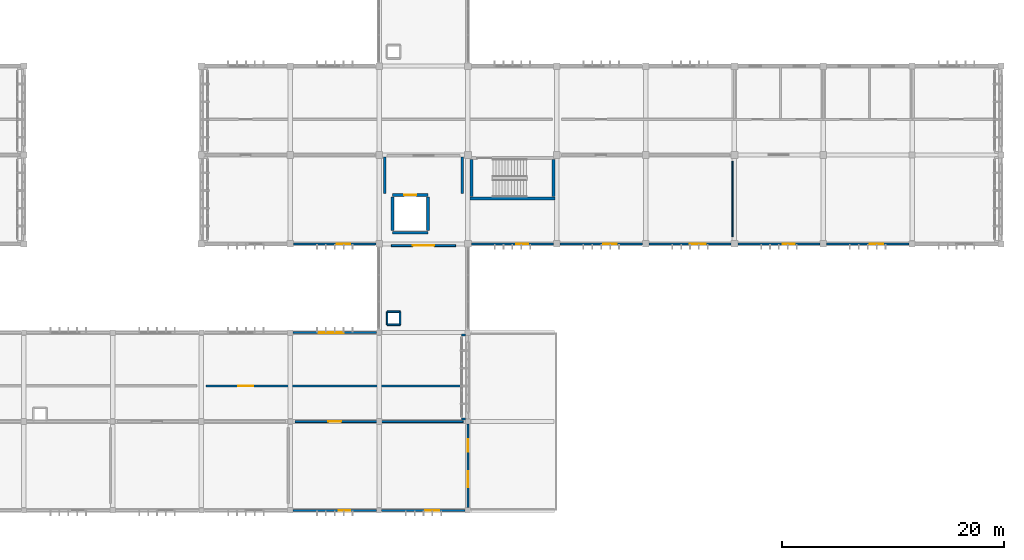
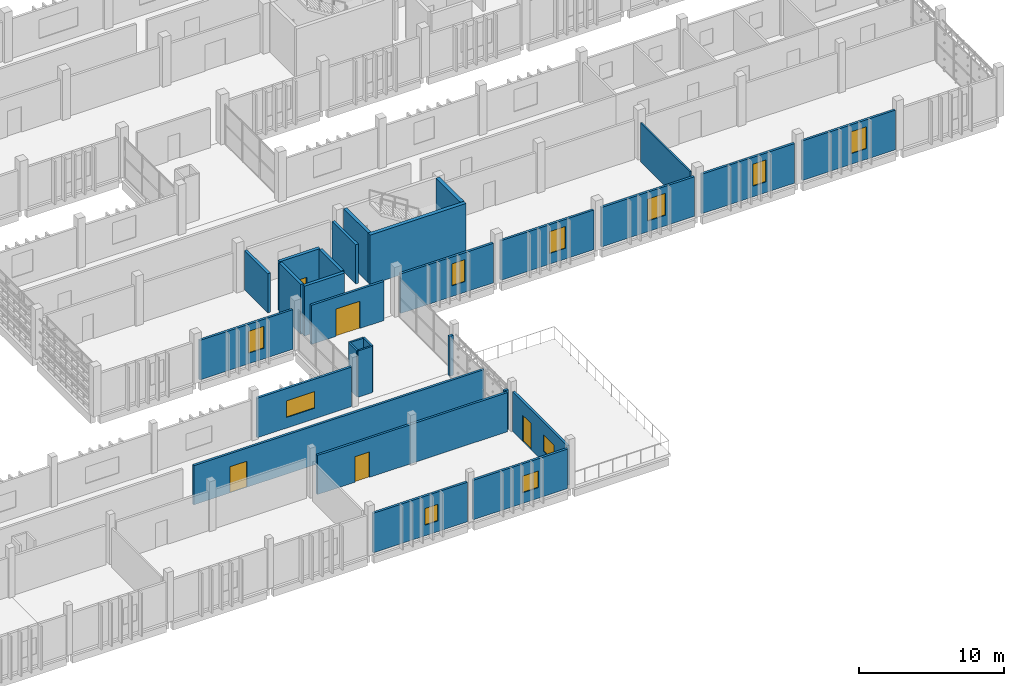
# One storey, part 51 of 63: 29 walls, 10 windows, 5 doors, 15 openings.
"""IFC4 building model written with IfcOpenShell, lengths in metres."""

from ifc_helpers import new_model, si_unit, direction, frame, frame_2d, origin, place, context, subcontext, project, spatial, rectangle, extrude, material, layer, layer_set, type_object, element, fill, save


model = new_model("IFC4")

# Units and contexts
model_context = context("Model", 3, precision=1e-05, world=origin(), true_north=direction((0.0, 1.0)))
body_context = subcontext(model_context, "Body", "Model", "MODEL_VIEW")
ifc_project = project(units=[si_unit("LENGTHUNIT", "METRE"), si_unit("AREAUNIT", "SQUARE_METRE"), si_unit("VOLUMEUNIT", "CUBIC_METRE"), si_unit("PLANEANGLEUNIT", "RADIAN"), si_unit("MASSUNIT", "GRAM", prefix="KILO")], contexts=[model_context])

# Site, building, storey
site_placement = place(None, origin())
site = spatial("IfcSite", under=ifc_project, at=site_placement, CompositionType="ELEMENT")
building_placement = place(site_placement, origin())
building = spatial("IfcBuilding", under=site, at=building_placement, Name="Jelvoka-Kovrelna Polytechnic", CompositionType="ELEMENT")
storey_placement = place(building_placement, frame((0.0, 0.0, 18.0)))
storey = spatial("IfcBuildingStorey", under=building, at=storey_placement, Name="L05", CompositionType="ELEMENT", Elevation=18.0)

# Walls
ifc_material_1 = material(Name="Concrete C35/45", Category="concrete")
ifc_layer_1 = layer(ifc_material_1, 0.219970703125)
ifc_layer_set_1 = layer_set([ifc_layer_1], Name="Concrete C35/45")
wall_type_1 = type_object("IfcWallType", Name="Wall_Compartment_220", PredefinedType="PARTITIONING", material=ifc_layer_set_1)
for number, where, z_axis, x_axis, name in (
    (1, (144.5, 36.550048828125, 0.0), (0.0, 0.0, 1.0), (0.0, 1.0, 0.0), "L05 interior wall 0496"),
    (2, (151.5, 36.550048828125, 0.0), (0.0, 0.0, 1.0), (0.0, 1.0, 0.0), "L05 interior wall 0497"),
):
    element("IfcWall", number, at=place(storey_placement, frame(where, z_axis=z_axis, x_axis=x_axis)), inside=storey, type_object=wall_type_1, Name=name, PredefinedType="PARTITIONING", context=body_context, shape_type="SweptSolid", body=[
        extrude(rectangle(XDim=3.25, YDim=0.219970703125, at=frame_2d((1.625, 0.0))), origin(), (0.0, 0.0, 1.0), 3.300048828125),
    ])
ifc_material_2 = material(Name="Concrete C40/50", Category="concrete")
ifc_layer_2 = layer(ifc_material_2, 0.25)
ifc_layer_set_2 = layer_set([ifc_layer_2], Name="Concrete C40/50")
wall_type_2 = type_object("IfcWallType", Name="Wall_Core_250", PredefinedType="SOLIDWALL", material=ifc_layer_set_2)
wall_1_placement = place(storey_placement, frame((152.324951171875, 36.25, 0.0), z_axis=(0.0, 0.0, 1.0), x_axis=(0.0, 1.0, 0.0)))
element("IfcWall", 3, at=wall_1_placement, inside=storey, type_object=wall_type_2, Name="L05 interior wall 0136", PredefinedType="SOLIDWALL", context=body_context, shape_type="SweptSolid", body=[
    extrude(rectangle(XDim=3.360107421875, YDim=0.25, at=frame_2d((1.68017578125, 0.0))), origin(), (0.0, 0.0, 1.0), 4.199951171875),
])
wall_2_placement = place(storey_placement, frame((145.199951171875, 33.0, 0.0), z_axis=(0.0, 0.0, 1.0), x_axis=(1.0, 0.0, 0.0)))
element("IfcWall", 4, at=wall_2_placement, inside=storey, type_object=wall_type_2, Name="L05 interior wall 0491", PredefinedType="SOLIDWALL", context=body_context, shape_type="SweptSolid", body=[
    extrude(rectangle(XDim=3.199951171875, YDim=0.25, at=frame_2d((1.60009765625, 0.0))), origin(), (0.0, 0.0, 1.0), 4.199951171875),
])

# Wall, opening, door
wall_3_placement = place(storey_placement, frame((145.199951171875, 36.39990234375, 0.0), z_axis=(0.0, 0.0, 1.0), x_axis=(1.0, 0.0, 0.0)))
wall_3 = element("IfcWall", 5, at=wall_3_placement, inside=storey, type_object=wall_type_2, Name="L05 interior wall 0492", PredefinedType="SOLIDWALL", context=body_context, shape_type="SweptSolid", body=[
    extrude(rectangle(XDim=3.199951171875, YDim=0.25, at=frame_2d((1.60009765625, 0.0))), origin(), (0.0, 0.0, 1.0), 4.199951171875),
])
opening_1_placement = place(wall_3_placement, frame((1.050048828125, 0.0, 0.0)))
opening_1 = element("IfcOpeningElement", 6, at=opening_1_placement, cuts=wall_3, Name="Opening LD-L05-31", PredefinedType="OPENING", context=body_context, shape_type="SweptSolid", body=[
    extrude(rectangle(XDim=1.10009765625, YDim=2.14990234375, at=frame_2d((0.550048828125, 1.074951171875))), frame((0.0, 0.135009765625, 0.0), z_axis=(0.0, -1.0, 0.0), x_axis=(1.0, 0.0, 0.0)), (0.0, 0.0, 1.0), 0.27001953125),
])
ifc_material_3 = material(Name="Brushed stainless steel sliding landing door", Category="steel")
door_type_1 = type_object("IfcDoorType", Name="Door_Lift_LD01", OperationType="NOTDEFINED", PredefinedType="DOOR", material=ifc_material_3)
door_1_placement = place(opening_1_placement, origin())
door_1 = element("IfcDoor", 7, at=door_1_placement, inside=storey, type_object=door_type_1, Name="L05 lift landing sliding door LD-L05-31", OperationType="DOUBLE_DOOR_SLIDING", OverallHeight=2.14990234375, OverallWidth=1.10009765625, PredefinedType="DOOR", context=body_context, shape_type="SweptSolid", body=[
    extrude(rectangle(XDim=1.10009765625, YDim=2.14990234375, at=frame_2d((0.550048828125, 1.074951171875))), frame((0.0, 0.02490234375, 0.0), z_axis=(0.0, -1.0, 0.0), x_axis=(1.0, 0.0, 0.0)), (0.0, 0.0, 1.0), 0.050048828125),
])
fill(opening_1, door_1)

# Walls
for number, where, z_axis, x_axis, name in (
    (8, (145.199951171875, 33.199951171875, 0.0), (0.0, 0.0, 1.0), (0.0, 1.0, 0.0), "L05 interior wall 0493"),
    (9, (148.39990234375, 33.199951171875, 0.0), (0.0, 0.0, 1.0), (0.0, 1.0, 0.0), "L05 interior wall 0494"),
):
    element("IfcWall", number, at=place(storey_placement, frame(where, z_axis=z_axis, x_axis=x_axis)), inside=storey, type_object=wall_type_2, Name=name, PredefinedType="SOLIDWALL", context=body_context, shape_type="SweptSolid", body=[
        extrude(rectangle(XDim=3.0, YDim=0.25, at=frame_2d((1.5, 0.0))), origin(), (0.0, 0.0, 1.0), 4.199951171875),
    ])

# Wall, opening, door
ifc_material_4 = material(Name="Autoclaved aerated concrete blockwork", Category="masonry")
ifc_layer_3 = layer(ifc_material_4, 0.179931640625)
ifc_layer_set_3 = layer_set([ifc_layer_3], Name="Autoclaved aerated concrete blockwork")
wall_type_3 = type_object("IfcWallType", Name="Wall_Corridor_180", PredefinedType="PARTITIONING", material=ifc_layer_set_3)
wall_4_placement = place(storey_placement, frame((136.429931640625, 16.0, 0.0), z_axis=(0.0, 0.0, 1.0), x_axis=(1.0, 0.0, 0.0)))
wall_4 = element("IfcWall", 10, at=wall_4_placement, inside=storey, type_object=wall_type_3, Name="L05 interior wall 1182", PredefinedType="PARTITIONING", context=body_context, shape_type="SweptSolid", body=[
    extrude(rectangle(XDim=15.14013671875, YDim=0.179931640625, at=frame_2d((7.570068359375, 0.0))), origin(), (0.0, 0.0, 1.0), 3.300048828125),
])
opening_2_placement = place(wall_4_placement, frame((2.9951171875, 0.0, 0.0)))
opening_2 = element("IfcOpeningElement", 11, at=opening_2_placement, cuts=wall_4, Name="Opening D-L05-376", PredefinedType="OPENING", context=body_context, shape_type="SweptSolid", body=[
    extrude(rectangle(XDim=1.14990234375, YDim=2.14990234375, at=frame_2d((0.574951171875, 1.074951171875))), frame((0.0, 0.099853515625, 0.0), z_axis=(0.0, -1.0, 0.0), x_axis=(1.0, 0.0, 0.0)), (0.0, 0.0, 1.0), 0.199951171875),
])
ifc_material_5 = material(Name="Hardwood fire-resisting laboratory door", Category="wood")
door_type_2 = type_object("IfcDoorType", Name="Door_Fire_FD30_03", OperationType="NOTDEFINED", PredefinedType="DOOR", material=ifc_material_5)
door_2_placement = place(opening_2_placement, origin())
door_2 = element("IfcDoor", 12, at=door_2_placement, inside=storey, type_object=door_type_2, Name="L05 interior door D-L05-376", OperationType="SINGLE_SWING_LEFT", OverallHeight=2.14990234375, OverallWidth=1.14990234375, PredefinedType="DOOR", context=body_context, shape_type="SweptSolid", body=[
    extrude(rectangle(XDim=1.14990234375, YDim=2.14990234375, at=frame_2d((0.574951171875, 1.074951171875))), frame((0.0, 0.02490234375, 0.0), z_axis=(0.0, -1.0, 0.0), x_axis=(1.0, 0.0, 0.0)), (0.0, 0.0, 1.0), 0.050048828125),
])
fill(opening_2, door_2)

wall_5_placement = place(storey_placement, frame((128.429931640625, 19.199951171875, 0.0), z_axis=(0.0, 0.0, 1.0), x_axis=(1.0, 0.0, 0.0)))
wall_5 = element("IfcWall", 13, at=wall_5_placement, inside=storey, type_object=wall_type_3, Name="L05 interior wall 1187", PredefinedType="PARTITIONING", context=body_context, shape_type="SweptSolid", body=[
    extrude(rectangle(XDim=23.14013671875, YDim=0.179931640625, at=frame_2d((11.570068359375, 0.0))), origin(), (0.0, 0.0, 1.0), 3.300048828125),
])
opening_3_placement = place(wall_5_placement, frame((2.89501953125, 0.0, 0.0)))
opening_3 = element("IfcOpeningElement", 14, at=opening_3_placement, cuts=wall_5, Name="Opening D-L05-380", PredefinedType="OPENING", context=body_context, shape_type="SweptSolid", body=[
    extrude(rectangle(XDim=1.35009765625, YDim=2.199951171875, at=frame_2d((0.675048828125, 1.10009765625))), frame((0.0, 0.099853515625, 0.0), z_axis=(0.0, -1.0, 0.0), x_axis=(1.0, 0.0, 0.0)), (0.0, 0.0, 1.0), 0.199951171875),
])
ifc_material_6 = material(Name="Studio wide leaf door", Category="wood")
door_type_3 = type_object("IfcDoorType", Name="Door_Int_D15", OperationType="NOTDEFINED", PredefinedType="DOOR", material=ifc_material_6)
door_3_placement = place(opening_3_placement, origin())
door_3 = element("IfcDoor", 15, at=door_3_placement, inside=storey, type_object=door_type_3, Name="L05 interior door D-L05-380", OperationType="SINGLE_SWING_RIGHT", OverallHeight=2.199951171875, OverallWidth=1.35009765625, PredefinedType="DOOR", context=body_context, shape_type="SweptSolid", body=[
    extrude(rectangle(XDim=1.35009765625, YDim=2.199951171875, at=frame_2d((0.675048828125, 1.10009765625))), frame((0.0, 0.02490234375, 0.0), z_axis=(0.0, -1.0, 0.0), x_axis=(1.0, 0.0, 0.0)), (0.0, 0.0, 1.0), 0.050048828125),
])
fill(opening_3, door_3)

wall_6_placement = place(storey_placement, frame((145.10009765625, 31.85009765625, 0.0), z_axis=(0.0, 0.0, 1.0), x_axis=(1.0, 0.0, 0.0)))
wall_6 = element("IfcWall", 16, at=wall_6_placement, inside=storey, type_object=wall_type_3, Name="L05 interior wall 1218", PredefinedType="PARTITIONING", context=body_context, shape_type="SweptSolid", body=[
    extrude(rectangle(XDim=5.7998046875, YDim=0.179931640625, at=frame_2d((2.89990234375, 0.0))), origin(), (0.0, 0.0, 1.0), 3.300048828125),
])
opening_4_placement = place(wall_6_placement, frame((1.93994140625, 0.0, 0.0)))
opening_4 = element("IfcOpeningElement", 17, at=opening_4_placement, cuts=wall_6, Name="Opening D-L05-405", PredefinedType="OPENING", context=body_context, shape_type="SweptSolid", body=[
    extrude(rectangle(XDim=1.919921875, YDim=2.300048828125, at=frame_2d((0.9599609375, 1.14990234375))), frame((0.0, 0.099853515625, 0.0), z_axis=(0.0, -1.0, 0.0), x_axis=(1.0, 0.0, 0.0)), (0.0, 0.0, 1.0), 0.199951171875),
])
ifc_material_7 = material(Name="Paired workshop prep double door", Category="wood")
door_type_4 = type_object("IfcDoorType", Name="Door_Int_D23", OperationType="NOTDEFINED", PredefinedType="DOOR", material=ifc_material_7)
door_4_placement = place(opening_4_placement, origin())
door_4 = element("IfcDoor", 18, at=door_4_placement, inside=storey, type_object=door_type_4, Name="L05 interior door D-L05-405", OperationType="DOUBLE_DOOR_SINGLE_SWING", OverallHeight=2.300048828125, OverallWidth=1.919921875, PredefinedType="DOOR", context=body_context, shape_type="SweptSolid", body=[
    extrude(rectangle(XDim=1.919921875, YDim=2.300048828125, at=frame_2d((0.9599609375, 1.14990234375))), frame((0.0, 0.02490234375, 0.0), z_axis=(0.0, -1.0, 0.0), x_axis=(1.0, 0.0, 0.0)), (0.0, 0.0, 1.0), 0.050048828125),
])
fill(opening_4, door_4)

# Wall, opening, window
ifc_material_8 = material(Name="Precast concrete C40/50", Category="concrete")
ifc_layer_4 = layer(ifc_material_8, 0.18505859375)
ifc_layer_set_4 = layer_set([ifc_layer_4], Name="Precast concrete C40/50")
wall_type_4 = type_object("IfcWallType", Name="Wall_Ext_White_260", PredefinedType="STANDARD", material=ifc_layer_set_4)
wall_7_placement = place(storey_placement, frame((143.778076171875, 8.0, 0.0), z_axis=(0.0, 0.0, 1.0), x_axis=(-1.0, 0.0, 0.0)))
wall_7 = element("IfcWall", 19, at=wall_7_placement, inside=storey, type_object=wall_type_4, Name="L05 exterior wall 0355", PredefinedType="STANDARD", context=body_context, shape_type="SweptSolid", body=[
    extrude(rectangle(XDim=7.531005859375, YDim=0.18505859375, at=frame_2d((3.765625, 0.0))), origin(), (0.0, 0.0, 1.0), 3.3349609375),
])
opening_5_placement = place(wall_7_placement, frame((2.35791015625, 0.0, 0.89990234375)))
opening_5 = element("IfcOpeningElement", 20, at=opening_5_placement, cuts=wall_7, Name="Opening W-L05-109", PredefinedType="OPENING", context=body_context, shape_type="SweptSolid", body=[
    extrude(rectangle(XDim=1.050048828125, YDim=1.39990234375, at=frame_2d((0.52490234375, 0.699951171875))), frame((0.0, 0.1025390625, 0.0), z_axis=(0.0, -1.0, 0.0), x_axis=(1.0, 0.0, 0.0)), (0.0, 0.0, 1.0), 0.205078125),
])
ifc_material_9 = material(Name="Thermally broken anodised aluminium and low-e glazing", Category="aluminium")
window_type_1 = type_object("IfcWindowType", Name="Win_Casement_W11", PartitioningType="SINGLE_PANEL", PredefinedType="WINDOW", material=ifc_material_9)
window_1_placement = place(opening_5_placement, origin())
window_1 = element("IfcWindow", 21, at=window_1_placement, inside=storey, type_object=window_type_1, Name="L05 aluminium casement window W-L05-109", OverallHeight=1.39990234375, OverallWidth=1.050048828125, PartitioningType="SINGLE_PANEL", PredefinedType="WINDOW", context=body_context, shape_type="SweptSolid", body=[
    extrude(rectangle(XDim=1.050048828125, YDim=1.39990234375, at=frame_2d((0.52490234375, 0.699951171875))), frame((0.0, 0.030029296875, 0.0), z_axis=(0.0, -1.0, 0.0), x_axis=(1.0, 0.0, 0.0)), (0.0, 0.0, 1.0), 0.06005859375),
])
fill(opening_5, window_1)

wall_8_placement = place(storey_placement, frame((136.2470703125, 24.0, 0.0), z_axis=(0.0, 0.0, 1.0), x_axis=(1.0, 0.0, 0.0)))
wall_8 = element("IfcWall", 22, at=wall_8_placement, inside=storey, type_object=wall_type_4, Name="L05 exterior wall 0356", PredefinedType="STANDARD", context=body_context, shape_type="SweptSolid", body=[
    extrude(rectangle(XDim=7.531005859375, YDim=0.18505859375, at=frame_2d((3.765625, 0.0))), origin(), (0.0, 0.0, 1.0), 3.3349609375),
])
opening_6_placement = place(wall_8_placement, frame((2.3330078125, 0.0, 0.89990234375)))
opening_6 = element("IfcOpeningElement", 23, at=opening_6_placement, cuts=wall_8, Name="Opening W-L05-110", PredefinedType="OPENING", context=body_context, shape_type="SweptSolid", body=[
    extrude(rectangle(XDim=2.25, YDim=1.39990234375, at=frame_2d((1.125, 0.699951171875))), frame((0.0, 0.1025390625, 0.0), z_axis=(0.0, -1.0, 0.0), x_axis=(1.0, 0.0, 0.0)), (0.0, 0.0, 1.0), 0.205078125),
])
ifc_material_10 = material(Name="Thermally broken anodised aluminium and low-e glazing", Category="aluminium")
window_type_2 = type_object("IfcWindowType", Name="Win_Casement_W17", PartitioningType="DOUBLE_PANEL_VERTICAL", PredefinedType="WINDOW", material=ifc_material_10)
window_2_placement = place(opening_6_placement, origin())
window_2 = element("IfcWindow", 24, at=window_2_placement, inside=storey, type_object=window_type_2, Name="L05 aluminium casement window W-L05-110", OverallHeight=1.39990234375, OverallWidth=2.25, PartitioningType="DOUBLE_PANEL_VERTICAL", PredefinedType="WINDOW", context=body_context, shape_type="SweptSolid", body=[
    extrude(rectangle(XDim=2.25, YDim=1.39990234375, at=frame_2d((1.125, 0.699951171875))), frame((0.0, 0.030029296875, 0.0), z_axis=(0.0, -1.0, 0.0), x_axis=(1.0, 0.0, 0.0)), (0.0, 0.0, 1.0), 0.06005859375),
])
fill(opening_6, window_2)

wall_9_placement = place(storey_placement, frame((151.7529296875, 8.0, 0.0), z_axis=(0.0, 0.0, 1.0), x_axis=(-1.0, 0.0, 0.0)))
wall_9 = element("IfcWall", 25, at=wall_9_placement, inside=storey, type_object=wall_type_4, Name="L05 exterior wall 0357", PredefinedType="STANDARD", context=body_context, shape_type="SweptSolid", body=[
    extrude(rectangle(XDim=7.531005859375, YDim=0.18505859375, at=frame_2d((3.765625, 0.0))), origin(), (0.0, 0.0, 1.0), 3.3349609375),
])
opening_7_placement = place(wall_9_placement, frame((2.3330078125, 0.0, 0.89990234375)))
opening_7 = element("IfcOpeningElement", 26, at=opening_7_placement, cuts=wall_9, Name="Opening W-L05-111", PredefinedType="OPENING", context=body_context, shape_type="SweptSolid", body=[
    extrude(rectangle(XDim=1.25, YDim=1.39990234375, at=frame_2d((0.625, 0.699951171875))), frame((0.0, 0.1025390625, 0.0), z_axis=(0.0, -1.0, 0.0), x_axis=(1.0, 0.0, 0.0)), (0.0, 0.0, 1.0), 0.205078125),
])
ifc_material_11 = material(Name="Thermally broken anodised aluminium and low-e glazing", Category="aluminium")
window_type_3 = type_object("IfcWindowType", Name="Win_Casement_W12", PartitioningType="SINGLE_PANEL", PredefinedType="WINDOW", material=ifc_material_11)
window_3_placement = place(opening_7_placement, origin())
window_3 = element("IfcWindow", 27, at=window_3_placement, inside=storey, type_object=window_type_3, Name="L05 aluminium casement window W-L05-111", OverallHeight=1.39990234375, OverallWidth=1.25, PartitioningType="SINGLE_PANEL", PredefinedType="WINDOW", context=body_context, shape_type="SweptSolid", body=[
    extrude(rectangle(XDim=1.25, YDim=1.39990234375, at=frame_2d((0.625, 0.699951171875))), frame((0.0, 0.030029296875, 0.0), z_axis=(0.0, -1.0, 0.0), x_axis=(1.0, 0.0, 0.0)), (0.0, 0.0, 1.0), 0.06005859375),
])
fill(opening_7, window_3)

# Wall, openings, door, window
wall_10_placement = place(storey_placement, frame((152.0, 15.778076171875, 0.0), z_axis=(0.0, 0.0, 1.0), x_axis=(0.0, -1.0, 0.0)))
wall_10 = element("IfcWall", 28, at=wall_10_placement, inside=storey, type_object=wall_type_4, Name="L05 exterior wall 0361", PredefinedType="STANDARD", context=body_context, shape_type="SweptSolid", body=[
    extrude(rectangle(XDim=7.531005859375, YDim=0.18505859375, at=frame_2d((3.765625, 0.0))), origin(), (0.0, 0.0, 1.0), 3.3349609375),
])
opening_8_placement = place(wall_10_placement, frame((1.35791015625, 0.0, 0.0)))
opening_8 = element("IfcOpeningElement", 29, at=opening_8_placement, cuts=wall_10, Name="Opening TD-L05-007", PredefinedType="OPENING", context=body_context, shape_type="SweptSolid", body=[
    extrude(rectangle(XDim=1.14990234375, YDim=2.199951171875, at=frame_2d((0.574951171875, 1.10009765625))), frame((0.0, 0.1025390625, 0.0), z_axis=(0.0, -1.0, 0.0), x_axis=(1.0, 0.0, 0.0)), (0.0, 0.0, 1.0), 0.205078125),
])
opening_9_placement = place(wall_10_placement, frame((4.258056640625, 0.0, 0.89990234375)))
opening_9 = element("IfcOpeningElement", 30, at=opening_9_placement, cuts=wall_10, Name="Opening W-L05-113", PredefinedType="OPENING", context=body_context, shape_type="SweptSolid", body=[
    extrude(rectangle(XDim=1.449951171875, YDim=1.39990234375, at=frame_2d((0.72509765625, 0.699951171875))), frame((0.0, 0.1025390625, 0.0), z_axis=(0.0, -1.0, 0.0), x_axis=(1.0, 0.0, 0.0)), (0.0, 0.0, 1.0), 0.205078125),
])
ifc_material_12 = material(Name="Powder-coated aluminium and laminated safety glass", Category="aluminium")
door_type_5 = type_object("IfcDoorType", Name="Door_Ext_Terrace_1150x2200", OperationType="NOTDEFINED", PredefinedType="DOOR", material=ifc_material_12)
door_5_placement = place(opening_8_placement, origin())
door_5 = element("IfcDoor", 31, at=door_5_placement, inside=storey, type_object=door_type_5, Name="L05 exterior door TD-L05-007", OperationType="SINGLE_SWING_LEFT", OverallHeight=2.199951171875, OverallWidth=1.14990234375, PredefinedType="DOOR", context=body_context, shape_type="SweptSolid", body=[
    extrude(rectangle(XDim=1.14990234375, YDim=2.199951171875, at=frame_2d((0.574951171875, 1.10009765625))), frame((0.0, 0.02490234375, 0.0), z_axis=(0.0, -1.0, 0.0), x_axis=(1.0, 0.0, 0.0)), (0.0, 0.0, 1.0), 0.050048828125),
])
fill(opening_8, door_5)
ifc_material_13 = material(Name="Thermally broken anodised aluminium and low-e glazing", Category="aluminium")
window_type_4 = type_object("IfcWindowType", Name="Win_Casement_W13", PartitioningType="SINGLE_PANEL", PredefinedType="WINDOW", material=ifc_material_13)
window_4_placement = place(opening_9_placement, origin())
window_4 = element("IfcWindow", 32, at=window_4_placement, inside=storey, type_object=window_type_4, Name="L05 aluminium casement window W-L05-113", OverallHeight=1.39990234375, OverallWidth=1.449951171875, PartitioningType="SINGLE_PANEL", PredefinedType="WINDOW", context=body_context, shape_type="SweptSolid", body=[
    extrude(rectangle(XDim=1.449951171875, YDim=1.39990234375, at=frame_2d((0.72509765625, 0.699951171875))), frame((0.0, 0.030029296875, 0.0), z_axis=(0.0, -1.0, 0.0), x_axis=(1.0, 0.0, 0.0)), (0.0, 0.0, 1.0), 0.06005859375),
])
fill(opening_9, window_4)

# Wall, opening, window
wall_11_placement = place(storey_placement, frame((143.702880859375, 32.0, 0.0), z_axis=(0.0, 0.0, 1.0), x_axis=(-1.0, 0.0, 0.0)))
wall_11 = element("IfcWall", 33, at=wall_11_placement, inside=storey, type_object=wall_type_4, Name="L05 exterior wall 0508", PredefinedType="STANDARD", context=body_context, shape_type="SweptSolid", body=[
    extrude(rectangle(XDim=7.40576171875, YDim=0.18505859375, at=frame_2d((3.702880859375, 0.0))), origin(), (0.0, 0.0, 1.0), 3.3349609375),
])
opening_10_placement = place(wall_11_placement, frame((2.282958984375, 0.0, 0.89990234375)))
opening_10 = element("IfcOpeningElement", 34, at=opening_10_placement, cuts=wall_11, Name="Opening W-L05-207", PredefinedType="OPENING", context=body_context, shape_type="SweptSolid", body=[
    extrude(rectangle(XDim=1.25, YDim=1.85009765625, at=frame_2d((0.625, 0.925048828125))), frame((0.0, 0.1025390625, 0.0), z_axis=(0.0, -1.0, 0.0), x_axis=(1.0, 0.0, 0.0)), (0.0, 0.0, 1.0), 0.205078125),
])
ifc_material_14 = material(Name="Thermally broken anodised aluminium and low-e glazing", Category="aluminium")
window_type_5 = type_object("IfcWindowType", Name="Win_Casement_W42", PartitioningType="SINGLE_PANEL", PredefinedType="WINDOW", material=ifc_material_14)
window_5_placement = place(opening_10_placement, origin())
window_5 = element("IfcWindow", 35, at=window_5_placement, inside=storey, type_object=window_type_5, Name="L05 aluminium casement window W-L05-207", OverallHeight=1.85009765625, OverallWidth=1.25, PartitioningType="SINGLE_PANEL", PredefinedType="WINDOW", context=body_context, shape_type="SweptSolid", body=[
    extrude(rectangle(XDim=1.25, YDim=1.85009765625, at=frame_2d((0.625, 0.925048828125))), frame((0.0, 0.030029296875, 0.0), z_axis=(0.0, -1.0, 0.0), x_axis=(1.0, 0.0, 0.0)), (0.0, 0.0, 1.0), 0.06005859375),
])
fill(opening_10, window_5)

wall_12_placement = place(storey_placement, frame((159.702880859375, 32.0, 0.0), z_axis=(0.0, 0.0, 1.0), x_axis=(-1.0, 0.0, 0.0)))
wall_12 = element("IfcWall", 36, at=wall_12_placement, inside=storey, type_object=wall_type_4, Name="L05 exterior wall 0510", PredefinedType="STANDARD", context=body_context, shape_type="SweptSolid", body=[
    extrude(rectangle(XDim=7.40576171875, YDim=0.18505859375, at=frame_2d((3.702880859375, 0.0))), origin(), (0.0, 0.0, 1.0), 3.3349609375),
])
opening_11_placement = place(wall_12_placement, frame((2.282958984375, 0.0, 0.89990234375)))
opening_11 = element("IfcOpeningElement", 37, at=opening_11_placement, cuts=wall_12, Name="Opening W-L05-209", PredefinedType="OPENING", context=body_context, shape_type="SweptSolid", body=[
    extrude(rectangle(XDim=1.050048828125, YDim=1.85009765625, at=frame_2d((0.52490234375, 0.925048828125))), frame((0.0, 0.1025390625, 0.0), z_axis=(0.0, -1.0, 0.0), x_axis=(1.0, 0.0, 0.0)), (0.0, 0.0, 1.0), 0.205078125),
])
ifc_material_15 = material(Name="Thermally broken anodised aluminium and low-e glazing", Category="aluminium")
window_type_6 = type_object("IfcWindowType", Name="Win_Casement_W41", PartitioningType="SINGLE_PANEL", PredefinedType="WINDOW", material=ifc_material_15)
window_6_placement = place(opening_11_placement, origin())
window_6 = element("IfcWindow", 38, at=window_6_placement, inside=storey, type_object=window_type_6, Name="L05 aluminium casement window W-L05-209", OverallHeight=1.85009765625, OverallWidth=1.050048828125, PartitioningType="SINGLE_PANEL", PredefinedType="WINDOW", context=body_context, shape_type="SweptSolid", body=[
    extrude(rectangle(XDim=1.050048828125, YDim=1.85009765625, at=frame_2d((0.52490234375, 0.925048828125))), frame((0.0, 0.030029296875, 0.0), z_axis=(0.0, -1.0, 0.0), x_axis=(1.0, 0.0, 0.0)), (0.0, 0.0, 1.0), 0.06005859375),
])
fill(opening_11, window_6)

wall_13_placement = place(storey_placement, frame((167.702880859375, 32.0, 0.0), z_axis=(0.0, 0.0, 1.0), x_axis=(-1.0, 0.0, 0.0)))
wall_13 = element("IfcWall", 39, at=wall_13_placement, inside=storey, type_object=wall_type_4, Name="L05 exterior wall 0512", PredefinedType="STANDARD", context=body_context, shape_type="SweptSolid", body=[
    extrude(rectangle(XDim=7.40576171875, YDim=0.18505859375, at=frame_2d((3.702880859375, 0.0))), origin(), (0.0, 0.0, 1.0), 3.3349609375),
])
opening_12_placement = place(wall_13_placement, frame((2.282958984375, 0.0, 0.89990234375)))
opening_12 = element("IfcOpeningElement", 40, at=opening_12_placement, cuts=wall_13, Name="Opening W-L05-211", PredefinedType="OPENING", context=body_context, shape_type="SweptSolid", body=[
    extrude(rectangle(XDim=1.25, YDim=1.85009765625, at=frame_2d((0.625, 0.925048828125))), frame((0.0, 0.1025390625, 0.0), z_axis=(0.0, -1.0, 0.0), x_axis=(1.0, 0.0, 0.0)), (0.0, 0.0, 1.0), 0.205078125),
])
window_7_placement = place(opening_12_placement, origin())
window_7 = element("IfcWindow", 41, at=window_7_placement, inside=storey, type_object=window_type_5, Name="L05 aluminium casement window W-L05-211", OverallHeight=1.85009765625, OverallWidth=1.25, PartitioningType="SINGLE_PANEL", PredefinedType="WINDOW", context=body_context, shape_type="SweptSolid", body=[
    extrude(rectangle(XDim=1.25, YDim=1.85009765625, at=frame_2d((0.625, 0.925048828125))), frame((0.0, 0.030029296875, 0.0), z_axis=(0.0, -1.0, 0.0), x_axis=(1.0, 0.0, 0.0)), (0.0, 0.0, 1.0), 0.06005859375),
])
fill(opening_12, window_7)

wall_14_placement = place(storey_placement, frame((175.702880859375, 32.0, 0.0), z_axis=(0.0, 0.0, 1.0), x_axis=(-1.0, 0.0, 0.0)))
wall_14 = element("IfcWall", 42, at=wall_14_placement, inside=storey, type_object=wall_type_4, Name="L05 exterior wall 0514", PredefinedType="STANDARD", context=body_context, shape_type="SweptSolid", body=[
    extrude(rectangle(XDim=7.40576171875, YDim=0.18505859375, at=frame_2d((3.702880859375, 0.0))), origin(), (0.0, 0.0, 1.0), 3.3349609375),
])
opening_13_placement = place(wall_14_placement, frame((2.282958984375, 0.0, 0.89990234375)))
opening_13 = element("IfcOpeningElement", 43, at=opening_13_placement, cuts=wall_14, Name="Opening W-L05-213", PredefinedType="OPENING", context=body_context, shape_type="SweptSolid", body=[
    extrude(rectangle(XDim=1.449951171875, YDim=1.85009765625, at=frame_2d((0.72509765625, 0.925048828125))), frame((0.0, 0.1025390625, 0.0), z_axis=(0.0, -1.0, 0.0), x_axis=(1.0, 0.0, 0.0)), (0.0, 0.0, 1.0), 0.205078125),
])
ifc_material_16 = material(Name="Thermally broken anodised aluminium and low-e glazing", Category="aluminium")
window_type_7 = type_object("IfcWindowType", Name="Win_Casement_W43", PartitioningType="SINGLE_PANEL", PredefinedType="WINDOW", material=ifc_material_16)
window_8_placement = place(opening_13_placement, origin())
window_8 = element("IfcWindow", 44, at=window_8_placement, inside=storey, type_object=window_type_7, Name="L05 aluminium casement window W-L05-213", OverallHeight=1.85009765625, OverallWidth=1.449951171875, PartitioningType="SINGLE_PANEL", PredefinedType="WINDOW", context=body_context, shape_type="SweptSolid", body=[
    extrude(rectangle(XDim=1.449951171875, YDim=1.85009765625, at=frame_2d((0.72509765625, 0.925048828125))), frame((0.0, 0.030029296875, 0.0), z_axis=(0.0, -1.0, 0.0), x_axis=(1.0, 0.0, 0.0)), (0.0, 0.0, 1.0), 0.06005859375),
])
fill(opening_13, window_8)

wall_15_placement = place(storey_placement, frame((183.702880859375, 32.0, 0.0), z_axis=(0.0, 0.0, 1.0), x_axis=(-1.0, 0.0, 0.0)))
wall_15 = element("IfcWall", 45, at=wall_15_placement, inside=storey, type_object=wall_type_4, Name="L05 exterior wall 0516", PredefinedType="STANDARD", context=body_context, shape_type="SweptSolid", body=[
    extrude(rectangle(XDim=7.40576171875, YDim=0.18505859375, at=frame_2d((3.702880859375, 0.0))), origin(), (0.0, 0.0, 1.0), 3.3349609375),
])
opening_14_placement = place(wall_15_placement, frame((2.282958984375, 0.0, 0.89990234375)))
opening_14 = element("IfcOpeningElement", 46, at=opening_14_placement, cuts=wall_15, Name="Opening W-L05-215", PredefinedType="OPENING", context=body_context, shape_type="SweptSolid", body=[
    extrude(rectangle(XDim=1.050048828125, YDim=1.85009765625, at=frame_2d((0.52490234375, 0.925048828125))), frame((0.0, 0.1025390625, 0.0), z_axis=(0.0, -1.0, 0.0), x_axis=(1.0, 0.0, 0.0)), (0.0, 0.0, 1.0), 0.205078125),
])
window_9_placement = place(opening_14_placement, origin())
window_9 = element("IfcWindow", 47, at=window_9_placement, inside=storey, type_object=window_type_6, Name="L05 aluminium casement window W-L05-215", OverallHeight=1.85009765625, OverallWidth=1.050048828125, PartitioningType="SINGLE_PANEL", PredefinedType="WINDOW", context=body_context, shape_type="SweptSolid", body=[
    extrude(rectangle(XDim=1.050048828125, YDim=1.85009765625, at=frame_2d((0.52490234375, 0.925048828125))), frame((0.0, 0.030029296875, 0.0), z_axis=(0.0, -1.0, 0.0), x_axis=(1.0, 0.0, 0.0)), (0.0, 0.0, 1.0), 0.06005859375),
])
fill(opening_14, window_9)

wall_16_placement = place(storey_placement, frame((191.72802734375, 32.0, 0.0), z_axis=(0.0, 0.0, 1.0), x_axis=(-1.0, 0.0, 0.0)))
wall_16 = element("IfcWall", 48, at=wall_16_placement, inside=storey, type_object=wall_type_4, Name="L05 exterior wall 0518", PredefinedType="STANDARD", context=body_context, shape_type="SweptSolid", body=[
    extrude(rectangle(XDim=7.430908203125, YDim=0.18505859375, at=frame_2d((3.71533203125, 0.0))), origin(), (0.0, 0.0, 1.0), 3.3349609375),
])
opening_15_placement = place(wall_16_placement, frame((2.30810546875, 0.0, 0.89990234375)))
opening_15 = element("IfcOpeningElement", 49, at=opening_15_placement, cuts=wall_16, Name="Opening W-L05-218", PredefinedType="OPENING", context=body_context, shape_type="SweptSolid", body=[
    extrude(rectangle(XDim=1.25, YDim=1.85009765625, at=frame_2d((0.625, 0.925048828125))), frame((0.0, 0.1025390625, 0.0), z_axis=(0.0, -1.0, 0.0), x_axis=(1.0, 0.0, 0.0)), (0.0, 0.0, 1.0), 0.205078125),
])
window_10_placement = place(opening_15_placement, origin())
window_10 = element("IfcWindow", 50, at=window_10_placement, inside=storey, type_object=window_type_5, Name="L05 aluminium casement window W-L05-218", OverallHeight=1.85009765625, OverallWidth=1.25, PartitioningType="SINGLE_PANEL", PredefinedType="WINDOW", context=body_context, shape_type="SweptSolid", body=[
    extrude(rectangle(XDim=1.25, YDim=1.85009765625, at=frame_2d((0.625, 0.925048828125))), frame((0.0, 0.030029296875, 0.0), z_axis=(0.0, -1.0, 0.0), x_axis=(1.0, 0.0, 0.0)), (0.0, 0.0, 1.0), 0.06005859375),
])
fill(opening_15, window_10)

# Walls
ifc_material_17 = material(Name="Precast concrete C40/50", Category="concrete")
ifc_layer_5 = layer(ifc_material_17, 0.199951171875)
ifc_layer_set_5 = layer_set([ifc_layer_5], Name="Precast concrete C40/50")
wall_type_5 = type_object("IfcWallType", Name="Wall_Parapet_200", PredefinedType="PARAPET", material=ifc_layer_set_5)
for number, where, z_axis, x_axis, name in (
    (51, (151.760009765625, 16.219970703125, 0.0), (0.0, 0.0, 1.0), (-1.0, 0.0, 0.0), "L05 exterior wall 0362"),
    (52, (151.760009765625, 23.780029296875, 0.0), (0.0, 0.0, 1.0), (-1.0, 0.0, 0.0), "L05 exterior wall 0363"),
):
    element("IfcWall", number, at=place(storey_placement, frame(where, z_axis=z_axis, x_axis=x_axis)), inside=storey, type_object=wall_type_5, Name=name, PredefinedType="PARAPET", context=body_context, shape_type="SweptSolid", body=[
        extrude(rectangle(XDim=0.320068359375, YDim=0.199951171875, at=frame_2d((0.16015625, 0.0))), origin(), (0.0, 0.0, 1.0), 3.35009765625),
    ])
ifc_material_18 = material(Name="Acoustic gypsum stud partition")
ifc_layer_6 = layer(ifc_material_18, 0.125)
ifc_layer_set_6 = layer_set([ifc_layer_6], Name="Acoustic gypsum stud partition")
wall_type_6 = type_object("IfcWallType", Name="Wall_Partition_125", PredefinedType="PARTITIONING", material=ifc_layer_set_6)
wall_17_placement = place(storey_placement, frame((175.820068359375, 32.6201171875, 0.0), z_axis=(0.0, 0.0, 1.0), x_axis=(0.0, 1.0, 0.0)))
element("IfcWall", 53, at=wall_17_placement, inside=storey, type_object=wall_type_6, Name="L05 interior wall 1198", PredefinedType="PARTITIONING", context=body_context, shape_type="SweptSolid", body=[
    extrude(rectangle(XDim=6.809814453125, YDim=0.125, at=frame_2d((3.40478515625, 0.0))), origin(), (0.0, 0.0, 1.0), 3.300048828125),
])
ifc_material_19 = material(Name="Autoclaved aerated concrete blockwork", Category="masonry")
ifc_layer_7 = layer(ifc_material_19, 0.14990234375)
ifc_layer_set_7 = layer_set([ifc_layer_7], Name="Autoclaved aerated concrete blockwork")
wall_type_7 = type_object("IfcWallType", Name="Wall_Partition_150", PredefinedType="PARTITIONING", material=ifc_layer_set_7)
for number, where, z_axis, x_axis, name in (
    (54, (144.719970703125, 24.719970703125, 0.0), (0.0, 0.0, 1.0), (1.0, 0.0, 0.0), "L05 interior wall 0771"),
    (55, (145.8798828125, 24.719970703125, 0.0), (0.0, 0.0, 1.0), (0.0, 1.0, 0.0), "L05 interior wall 0772"),
    (56, (145.8798828125, 25.8798828125, 0.0), (0.0, 0.0, 1.0), (-1.0, 0.0, 0.0), "L05 interior wall 0773"),
    (57, (144.719970703125, 25.8798828125, 0.0), (0.0, 0.0, 1.0), (0.0, -1.0, 0.0), "L05 interior wall 0774"),
):
    element("IfcWall", number, at=place(storey_placement, frame(where, z_axis=z_axis, x_axis=x_axis)), inside=storey, type_object=wall_type_7, Name=name, PredefinedType="PARTITIONING", context=body_context, shape_type="SweptSolid", body=[
        extrude(rectangle(XDim=1.159912109375, YDim=0.14990234375, at=frame_2d((0.580078125, 0.0))), origin(), (0.0, 0.0, 1.0), 3.89990234375),
    ])
ifc_material_20 = material(Name="Concrete C40/50", Category="concrete")
ifc_layer_8 = layer(ifc_material_20, 0.300048828125)
ifc_layer_set_8 = layer_set([ifc_layer_8], Name="Concrete C40/50")
wall_type_8 = type_object("IfcWallType", Name="Wall_Shear_300", PredefinedType="SHEAR", material=ifc_layer_set_8)
wall_18_placement = place(storey_placement, frame((152.199951171875, 36.090087890625, 0.0), z_axis=(0.0, 0.0, 1.0), x_axis=(1.0, 0.0, 0.0)))
element("IfcWall", 58, at=wall_18_placement, inside=storey, type_object=wall_type_8, Name="L05 interior wall 0133", PredefinedType="SHEAR", context=body_context, shape_type="SweptSolid", body=[
    extrude(rectangle(XDim=7.650146484375, YDim=0.300048828125, at=frame_2d((3.8251953125, 0.0))), origin(), (0.0, 0.0, 1.0), 4.199951171875),
])
wall_19_placement = place(storey_placement, frame((159.7099609375, 36.25, 0.0), z_axis=(0.0, 0.0, 1.0), x_axis=(0.0, 1.0, 0.0)))
element("IfcWall", 59, at=wall_19_placement, inside=storey, type_object=wall_type_8, Name="L05 interior wall 0134", PredefinedType="SHEAR", context=body_context, shape_type="SweptSolid", body=[
    extrude(rectangle(XDim=3.360107421875, YDim=0.300048828125, at=frame_2d((1.68017578125, 0.0))), origin(), (0.0, 0.0, 1.0), 4.199951171875),
])

save(model, "model.ifc")
